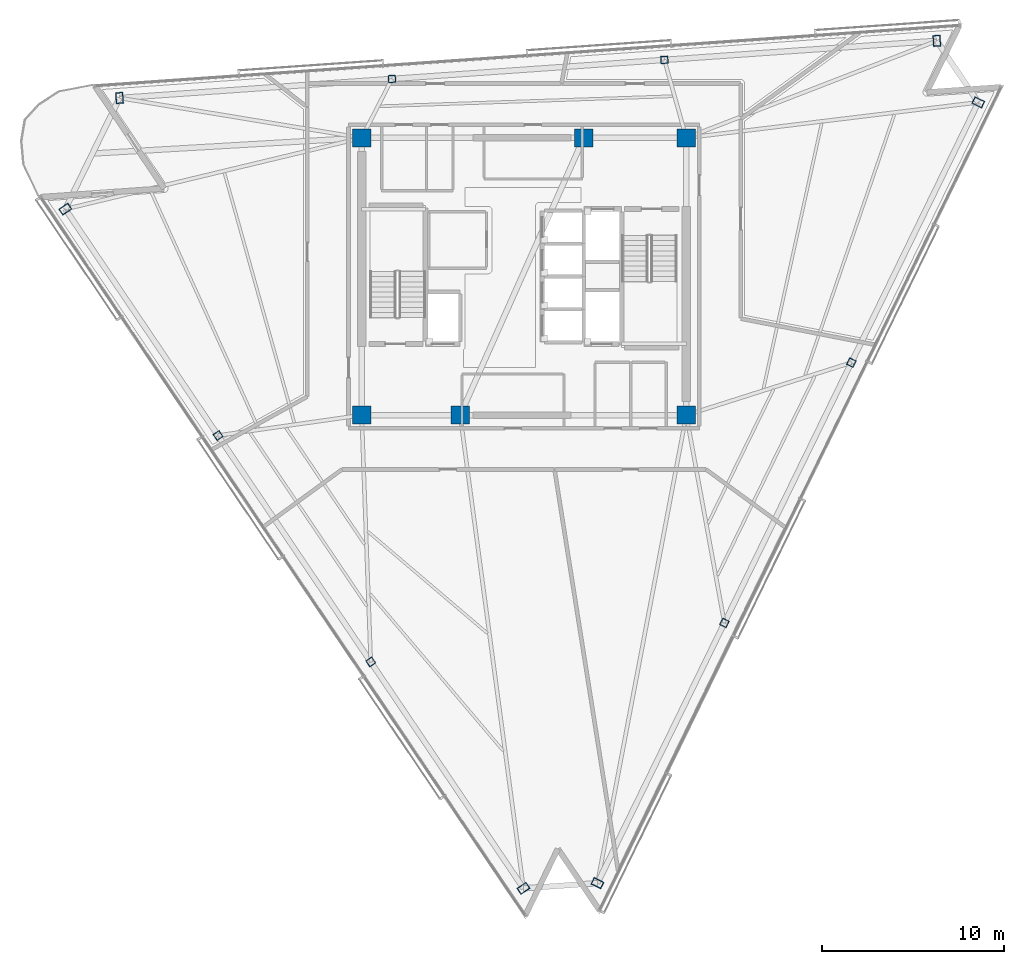
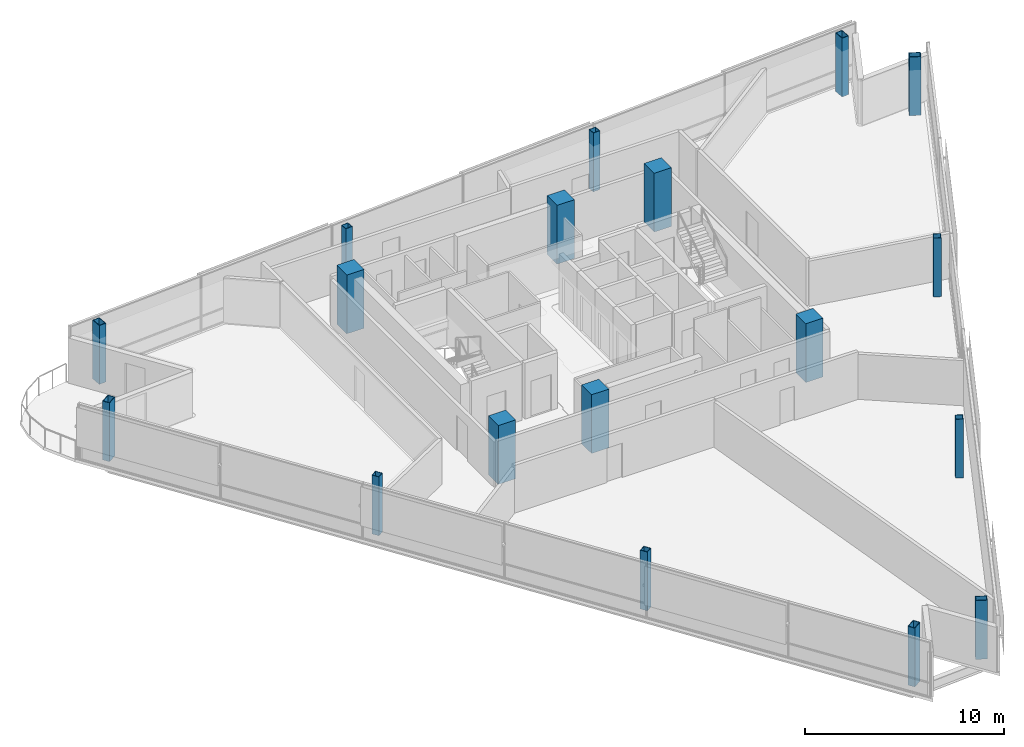
# One storey, part 1 of 15: 18 columns.
"""IFC4 building model written with IfcOpenShell, lengths in metres."""

from ifc_helpers import new_model, si_unit, direction, frame, origin, origin_2d, place, context, subcontext, project, spatial, rectangle, hollow_rectangle, extrude, material, material_profile, profile_set, type_object, element, save


model = new_model("IFC4")

# Units and contexts
model_context = context("Model", 3, precision=1e-05, world=origin(), true_north=direction((0.0, 1.0)))
body_context = subcontext(model_context, "Body", "Model", "MODEL_VIEW")
ifc_project = project(units=[si_unit("LENGTHUNIT", "METRE"), si_unit("AREAUNIT", "SQUARE_METRE"), si_unit("VOLUMEUNIT", "CUBIC_METRE"), si_unit("PLANEANGLEUNIT", "RADIAN"), si_unit("MASSUNIT", "GRAM", prefix="KILO")], contexts=[model_context])

# Site, building, storey
site_placement = place(None, origin())
site = spatial("IfcSite", under=ifc_project, at=site_placement, CompositionType="ELEMENT")
building_placement = place(site_placement, origin())
building = spatial("IfcBuilding", under=site, at=building_placement, Name="Tharavind Bronze Gate", CompositionType="ELEMENT")
storey_placement = place(building_placement, frame((0.0, 0.0, 267.800048828125)))
storey = spatial("IfcBuildingStorey", under=building, at=storey_placement, Name="L69", CompositionType="ELEMENT", Elevation=267.800048828125)

# Columns
ifc_material_1 = material(Name="Steel S460", Category="steel")
ifc_material_profile_1 = material_profile(ifc_material_1, hollow_rectangle(XDim=0.39990234375, YDim=0.60009765625, WallThickness=0.030029296875, at=origin_2d()), Name="RHS600X400X30")
ifc_profile_set_1 = profile_set([ifc_material_profile_1], Name="Steel S460")
column_type_1 = type_object("IfcColumnType", Name="CORNER NOTCH COLUMN RHS600X400", PredefinedType="COLUMN", material=ifc_profile_set_1)
for number, where, z_axis, x_axis, name in (
    (1, (-25.14990234375, 3.694580078125, 0.0), (0.0, 0.0, 1.0), (-0.559192903471, 0.829037572555, 0.0), "L69 perimeter column S1C1"),
    (2, (-0.02880859375, -33.549072265625, 0.0), (0.0, 0.0, 1.0), (-0.559192903471, 0.829037572555, 0.0), "L69 perimeter column S1C4"),
    (3, (4.029296875, -33.26513671875, 0.0), (0.0, 0.0, 1.0), (0.43837271548, 0.898793281196, 0.0), "L69 perimeter column S2C1"),
    (4, (24.91162109375, 9.5498046875, 0.0), (0.0, 0.0, 1.0), (0.43837271548, 0.898793281196, 0.0), "L69 perimeter column S2C4"),
    (5, (22.636962890625, 12.92236328125, 0.0), (0.0, 0.0, 1.0), (0.99756392851, 0.069758214822, 0.0), "L69 perimeter column S3C1"),
    (6, (-22.177490234375, 9.78857421875, 0.0), (0.0, 0.0, 1.0), (0.99756392851, 0.069758214822, 0.0), "L69 perimeter column S3C4"),
):
    element("IfcColumn", number, at=place(storey_placement, frame(where, z_axis=z_axis, x_axis=x_axis)), inside=storey, type_object=column_type_1, Name=name, PredefinedType="COLUMN", context=body_context, shape_type="SweptSolid", body=[
        extrude(hollow_rectangle(XDim=0.39990234375, YDim=0.60009765625, WallThickness=0.030029296875, at=origin_2d()), origin(), (0.0, 0.0, 1.0), 3.599853515625),
    ])
ifc_material_2 = material(Name="Concrete C50/60", Category="concrete")
ifc_material_profile_2 = material_profile(ifc_material_2, rectangle(XDim=1.0, YDim=1.0, at=origin_2d()), Name="RCCOL1000")
ifc_profile_set_2 = profile_set([ifc_material_profile_2], Name="Concrete C50/60")
column_type_2 = type_object("IfcColumnType", Name="MEGA CORE COLUMN 1000", PredefinedType="COLUMN", material=ifc_profile_set_2)
for number, where, z_axis, x_axis, name in (
    (7, (-8.89990234375, -7.60009765625, 0.0), (0.0, 0.0, 1.0), (1.0, 0.0, 0.0), "L69 core mega column MC1"),
    (8, (-3.5, -7.60009765625, 0.0), (0.0, 0.0, 1.0), (1.0, 0.0, 0.0), "L69 core mega column MC2"),
    (9, (8.89990234375, -7.60009765625, 0.0), (0.0, 0.0, 1.0), (1.0, 0.0, 0.0), "L69 core mega column MC3"),
    (10, (8.89990234375, 7.60009765625, 0.0), (0.0, 0.0, 1.0), (1.0, 0.0, 0.0), "L69 core mega column MC4"),
    (11, (3.280029296875, 7.60009765625, 0.0), (0.0, 0.0, 1.0), (1.0, 0.0, 0.0), "L69 core mega column MC5"),
    (12, (-8.89990234375, 7.60009765625, 0.0), (0.0, 0.0, 1.0), (1.0, 0.0, 0.0), "L69 core mega column MC6"),
):
    element("IfcColumn", number, at=place(storey_placement, frame(where, z_axis=z_axis, x_axis=x_axis)), inside=storey, type_object=column_type_2, Name=name, PredefinedType="COLUMN", context=body_context, shape_type="SweptSolid", body=[
        extrude(rectangle(XDim=1.0, YDim=1.0, at=origin_2d()), origin(), (0.0, 0.0, 1.0), 3.599853515625),
    ])
ifc_material_profile_3 = material_profile(ifc_material_1, hollow_rectangle(XDim=0.39990234375, YDim=0.39990234375, WallThickness=0.02490234375, at=origin_2d()), Name="SHS400X25")
ifc_profile_set_3 = profile_set([ifc_material_profile_3], Name="Steel S460")
column_type_3 = type_object("IfcColumnType", Name="PERIMETER BOX COLUMN SHS400", PredefinedType="COLUMN", material=ifc_profile_set_3)
for number, where, z_axis, x_axis, name in (
    (13, (-16.776123046875, -8.719970703125, 0.0), (0.0, 0.0, 1.0), (-0.559192903471, 0.829037572555, 0.0), "L69 perimeter column S1C2"),
    (14, (-8.40234375, -21.134521484375, 0.0), (0.0, 0.0, 1.0), (-0.559192903471, 0.829037572555, 0.0), "L69 perimeter column S1C3"),
    (15, (10.990234375, -18.99365234375, 0.0), (0.0, 0.0, 1.0), (0.43837271548, 0.898793281196, 0.0), "L69 perimeter column S2C2"),
    (16, (17.950927734375, -4.721923828125, 0.0), (0.0, 0.0, 1.0), (0.43837271548, 0.898793281196, 0.0), "L69 perimeter column S2C3"),
    (17, (7.69873046875, 11.877685546875, 0.0), (0.0, 0.0, 1.0), (0.99756392851, 0.069758214822, 0.0), "L69 perimeter column S3C2"),
    (18, (-7.239501953125, 10.8330078125, 0.0), (0.0, 0.0, 1.0), (0.99756392851, 0.069758214822, 0.0), "L69 perimeter column S3C3"),
):
    element("IfcColumn", number, at=place(storey_placement, frame(where, z_axis=z_axis, x_axis=x_axis)), inside=storey, type_object=column_type_3, Name=name, PredefinedType="COLUMN", context=body_context, shape_type="SweptSolid", body=[
        extrude(hollow_rectangle(XDim=0.39990234375, YDim=0.39990234375, WallThickness=0.02490234375, at=origin_2d()), origin(), (0.0, 0.0, 1.0), 3.599853515625),
    ])

save(model, "model.ifc")
